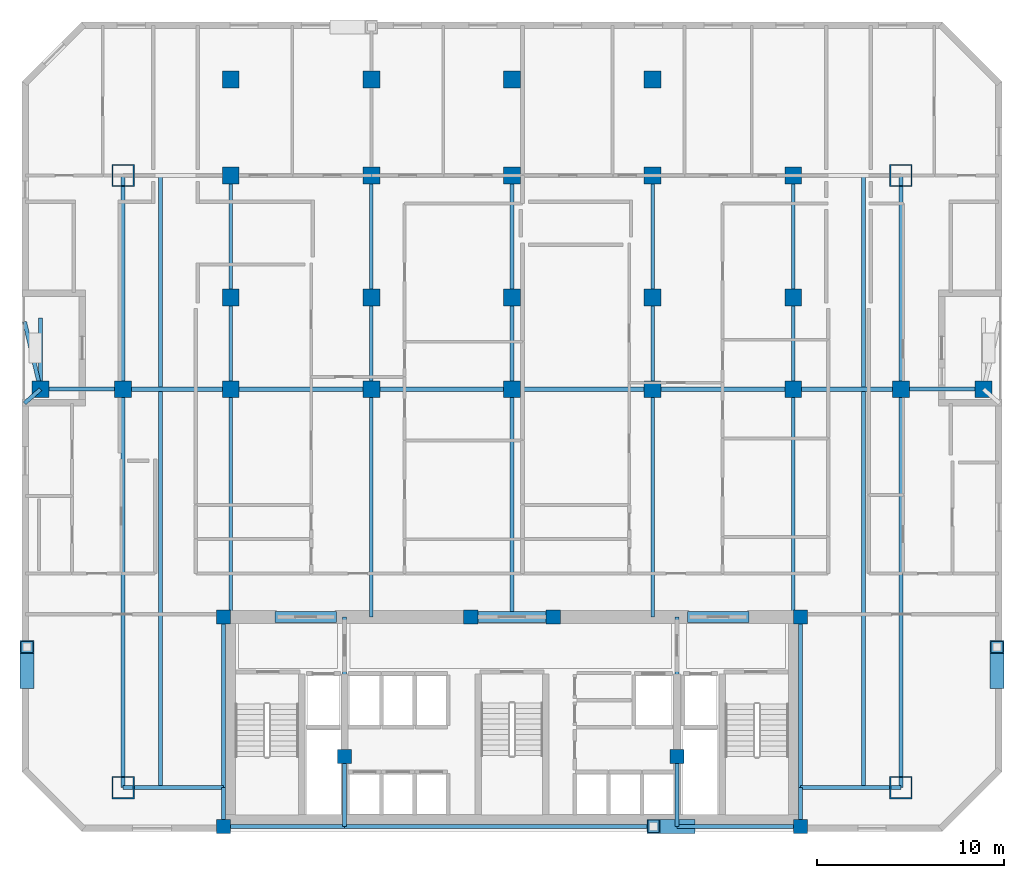
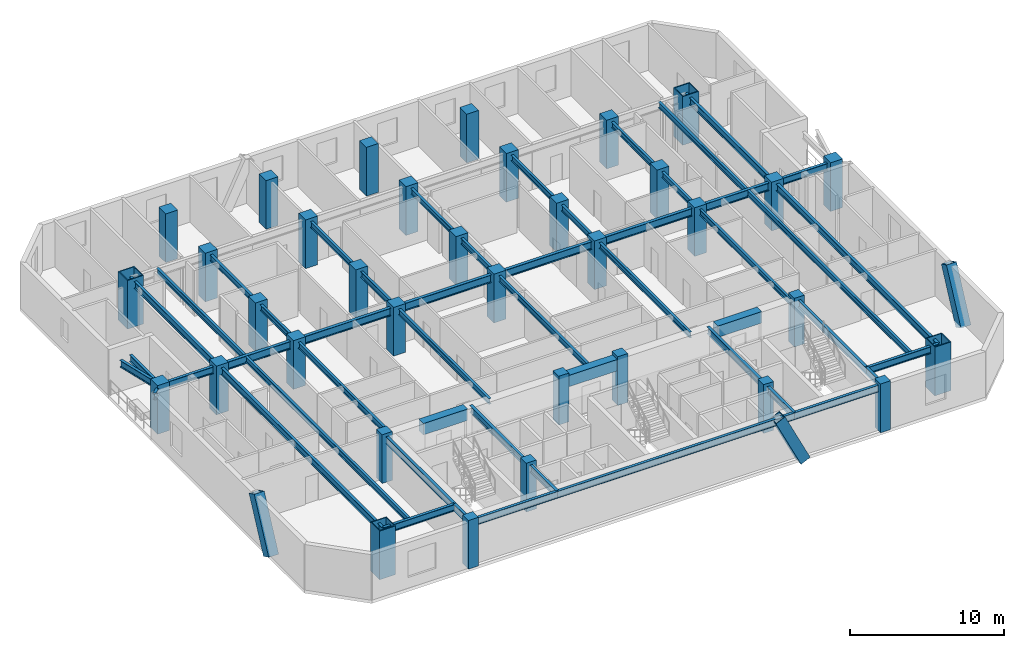
# One storey, part 1 of 10: 45 beams, 35 columns, 3 members.
"""IFC4 building model written with IfcOpenShell, lengths in metres."""

from ifc_helpers import new_model, si_unit, direction, frame, origin, origin_2d, place, context, subcontext, project, spatial, rectangle, hollow_rectangle, i_section, extrude, material, material_profile, profile_set, type_object, element, save


model = new_model("IFC4")

# Units and contexts
model_context = context("Model", 3, precision=1e-05, world=origin(), true_north=direction((0.0, 1.0)))
body_context = subcontext(model_context, "Body", "Model", "MODEL_VIEW")
ifc_project = project(units=[si_unit("LENGTHUNIT", "METRE"), si_unit("AREAUNIT", "SQUARE_METRE"), si_unit("VOLUMEUNIT", "CUBIC_METRE"), si_unit("PLANEANGLEUNIT", "RADIAN"), si_unit("MASSUNIT", "GRAM", prefix="KILO")], contexts=[model_context])

# Site, building, storey
site_placement = place(None, origin())
site = spatial("IfcSite", under=ifc_project, at=site_placement, CompositionType="ELEMENT")
building_placement = place(site_placement, origin())
building = spatial("IfcBuilding", under=site, at=building_placement, Name="Ventersveld Concourse Tower", CompositionType="ELEMENT")
storey_placement = place(building_placement, frame((0.0, 0.0, 104.14990234375)))
storey = spatial("IfcBuildingStorey", under=building, at=storey_placement, Name="L25", CompositionType="ELEMENT", Elevation=104.14990234375)

# Columns
ifc_material_1 = material(Name="Concrete C50/60", Category="concrete")
ifc_material_profile_1 = material_profile(ifc_material_1, rectangle(XDim=0.75, YDim=0.75, at=origin_2d()), Name="RC 750x750")
ifc_profile_set_1 = profile_set([ifc_material_profile_1], Name="Concrete C50/60")
column_type_1 = type_object("IfcColumnType", Name="COL-RC750", PredefinedType="COLUMN", material=ifc_profile_set_1)
for number, where, z_axis, x_axis, name in (
    (1, (13.35009765625, 0.280029296875, 0.0), (0.0, 0.0, 1.0), (1.0, 0.0, 0.0), "L25 Core Spine Column CC-SW"),
    (2, (44.14990234375, 0.280029296875, 0.0), (0.0, 0.0, 1.0), (1.0, 0.0, 0.0), "L25 Core Spine Column CC-SE"),
    (3, (13.35009765625, 11.449951171875, 0.0), (0.0, 0.0, 1.0), (1.0, 0.0, 0.0), "L25 Core Spine Column CC-NW"),
    (4, (44.14990234375, 11.449951171875, 0.0), (0.0, 0.0, 1.0), (1.0, 0.0, 0.0), "L25 Core Spine Column CC-NE"),
    (5, (19.820068359375, 4.0, 0.0), (0.0, 0.0, 1.0), (1.0, 0.0, 0.0), "L25 Core Spine Column CM-1"),
    (6, (37.550048828125, 4.0, 0.0), (0.0, 0.0, 1.0), (1.0, 0.0, 0.0), "L25 Core Spine Column CM-2"),
    (7, (26.550048828125, 11.449951171875, 0.0), (0.0, 0.0, 1.0), (1.0, 0.0, 0.0), "L25 Core Spine Column CM-3"),
    (8, (30.949951171875, 11.449951171875, 0.0), (0.0, 0.0, 1.0), (1.0, 0.0, 0.0), "L25 Core Spine Column CM-4"),
):
    element("IfcColumn", number, at=place(storey_placement, frame(where, z_axis=z_axis, x_axis=x_axis)), inside=storey, type_object=column_type_1, Name=name, PredefinedType="COLUMN", context=body_context, shape_type="SweptSolid", body=[
        extrude(rectangle(XDim=0.75, YDim=0.75, at=origin_2d()), origin(), (0.0, 0.0, 1.0), 3.85009765625),
    ])
ifc_material_2 = material(Name="Concrete C60/75", Category="concrete")
ifc_material_profile_2 = material_profile(ifc_material_2, rectangle(XDim=0.89990234375, YDim=0.89990234375, at=origin_2d()), Name="RC 900x900")
ifc_profile_set_2 = profile_set([ifc_material_profile_2], Name="Concrete C60/75")
column_type_2 = type_object("IfcColumnType", Name="COL-RC900", PredefinedType="COLUMN", material=ifc_profile_set_2)
for number, where, z_axis, x_axis, name in (
    (9, (3.60009765625, 23.60009765625, 0.0), (0.0, 0.0, 1.0), (1.0, 0.0, 0.0), "L25 Interior Gravity Column X=3.60 Y=23.60"),
    (10, (8.0, 23.60009765625, 0.0), (0.0, 0.0, 1.0), (1.0, 0.0, 0.0), "L25 Interior Gravity Column X=8.00 Y=23.60"),
    (11, (13.75, 23.60009765625, 0.0), (0.0, 0.0, 1.0), (1.0, 0.0, 0.0), "L25 Interior Gravity Column X=13.75 Y=23.60"),
    (12, (21.25, 23.60009765625, 0.0), (0.0, 0.0, 1.0), (1.0, 0.0, 0.0), "L25 Interior Gravity Column X=21.25 Y=23.60"),
    (13, (28.75, 23.60009765625, 0.0), (0.0, 0.0, 1.0), (1.0, 0.0, 0.0), "L25 Interior Gravity Column X=28.75 Y=23.60"),
    (14, (36.25, 23.60009765625, 0.0), (0.0, 0.0, 1.0), (1.0, 0.0, 0.0), "L25 Interior Gravity Column X=36.25 Y=23.60"),
    (15, (43.75, 23.60009765625, 0.0), (0.0, 0.0, 1.0), (1.0, 0.0, 0.0), "L25 Interior Gravity Column X=43.75 Y=23.60"),
    (16, (49.5, 23.60009765625, 0.0), (0.0, 0.0, 1.0), (1.0, 0.0, 0.0), "L25 Interior Gravity Column X=49.50 Y=23.60"),
    (17, (53.89990234375, 23.60009765625, 0.0), (0.0, 0.0, 1.0), (1.0, 0.0, 0.0), "L25 Interior Gravity Column X=53.90 Y=23.60"),
    (18, (13.75, 28.5, 0.0), (0.0, 0.0, 1.0), (1.0, 0.0, 0.0), "L25 Upper-North Gravity Column X=13.75 Y=28.50"),
    (19, (21.25, 28.5, 0.0), (0.0, 0.0, 1.0), (1.0, 0.0, 0.0), "L25 Upper-North Gravity Column X=21.25 Y=28.50"),
    (20, (28.75, 28.5, 0.0), (0.0, 0.0, 1.0), (1.0, 0.0, 0.0), "L25 Upper-North Gravity Column X=28.75 Y=28.50"),
    (21, (36.25, 28.5, 0.0), (0.0, 0.0, 1.0), (1.0, 0.0, 0.0), "L25 Upper-North Gravity Column X=36.25 Y=28.50"),
    (22, (43.75, 28.5, 0.0), (0.0, 0.0, 1.0), (1.0, 0.0, 0.0), "L25 Upper-North Gravity Column X=43.75 Y=28.50"),
    (23, (13.75, 40.1201171875, 0.0), (0.0, 0.0, 1.0), (1.0, 0.0, 0.0), "L25 North Brace Node Column X=13.75 Y=40.12"),
    (24, (21.25, 40.1201171875, 0.0), (0.0, 0.0, 1.0), (1.0, 0.0, 0.0), "L25 North Brace Node Column X=21.25 Y=40.12"),
    (25, (28.75, 40.1201171875, 0.0), (0.0, 0.0, 1.0), (1.0, 0.0, 0.0), "L25 North Brace Node Column X=28.75 Y=40.12"),
    (26, (36.25, 40.1201171875, 0.0), (0.0, 0.0, 1.0), (1.0, 0.0, 0.0), "L25 North Brace Node Column X=36.25 Y=40.12"),
    (27, (13.75, 35.0, 0.0), (0.0, 0.0, 1.0), (1.0, 0.0, 0.0), "L25 Mid-North Column X=13.75 Y=35.00"),
    (28, (21.25, 35.0, 0.0), (0.0, 0.0, 1.0), (1.0, 0.0, 0.0), "L25 Mid-North Column X=21.25 Y=35.00"),
    (29, (28.75, 35.0, 0.0), (0.0, 0.0, 1.0), (1.0, 0.0, 0.0), "L25 Mid-North Column X=28.75 Y=35.00"),
    (30, (36.25, 35.0, 0.0), (0.0, 0.0, 1.0), (1.0, 0.0, 0.0), "L25 Mid-North Column X=36.25 Y=35.00"),
    (31, (43.75, 35.0, 0.0), (0.0, 0.0, 1.0), (1.0, 0.0, 0.0), "L25 Mid-North Column X=43.75 Y=35.00"),
):
    element("IfcColumn", number, at=place(storey_placement, frame(where, z_axis=z_axis, x_axis=x_axis)), inside=storey, type_object=column_type_2, Name=name, PredefinedType="COLUMN", context=body_context, shape_type="SweptSolid", body=[
        extrude(rectangle(XDim=0.89990234375, YDim=0.89990234375, at=origin_2d()), origin(), (0.0, 0.0, 1.0), 3.85009765625),
    ])
ifc_material_3 = material(Name="Structural steel S460ML", Category="steel")
ifc_material_profile_3 = material_profile(ifc_material_3, hollow_rectangle(XDim=1.199951171875, YDim=1.199951171875, WallThickness=0.070068359375, at=origin_2d()), Name="BOX 1200x1200x70")
ifc_profile_set_3 = profile_set([ifc_material_profile_3], Name="Structural steel S460ML")
column_type_3 = type_object("IfcColumnType", Name="MC-1200", PredefinedType="USERDEFINED", material=ifc_profile_set_3)
for number, where, z_axis, x_axis, name in (
    (32, (8.0, 2.35009765625, 0.0), (0.0, 0.0, 1.0), (1.0, 0.0, 0.0), "L25 Corner Mega-Column MC-SW"),
    (33, (49.5, 2.35009765625, 0.0), (0.0, 0.0, 1.0), (1.0, 0.0, 0.0), "L25 Corner Mega-Column MC-SE"),
    (34, (49.5, 35.0, 0.0), (0.0, 0.0, 1.0), (1.0, 0.0, 0.0), "L25 Corner Mega-Column MC-NE"),
    (35, (8.0, 35.0, 0.0), (0.0, 0.0, 1.0), (1.0, 0.0, 0.0), "L25 Corner Mega-Column MC-NW"),
):
    element("IfcColumn", number, at=place(storey_placement, frame(where, z_axis=z_axis, x_axis=x_axis)), inside=storey, type_object=column_type_3, Name=name, ObjectType="MEGA_COLUMN", PredefinedType="USERDEFINED", context=body_context, shape_type="SweptSolid", body=[
        extrude(hollow_rectangle(XDim=1.199951171875, YDim=1.199951171875, WallThickness=0.070068359375, at=origin_2d()), origin(), (0.0, 0.0, 1.0), 3.85009765625),
    ])

# Beams
ifc_material_4 = material(Name="Structural steel S355J2", Category="steel")
ifc_material_profile_4 = material_profile(ifc_material_4, i_section(OverallWidth=0.18994140625, OverallDepth=0.453369140625, WebThickness=0.008544921875, FlangeThickness=0.0126953125, FilletRadius=0.01025390625, at=origin_2d()), Name="UB 457x191x67")
ifc_profile_set_4 = profile_set([ifc_material_profile_4], Name="Structural steel S355J2")
beam_type_1 = type_object("IfcBeamType", Name="BM-UB457", PredefinedType="BEAM", material=ifc_profile_set_4)
beam_1_placement = place(storey_placement, frame((10.0, 2.35009765625, 3.373291015625), z_axis=(0.0, 1.0, 0.0), x_axis=(-1.0, 0.0, 0.0)))
element("IfcBeam", 36, at=beam_1_placement, inside=storey, type_object=beam_type_1, Name="L25 N-S Composite Floor Beam South X=10.00", PredefinedType="BEAM", context=body_context, shape_type="SweptSolid", body=[
    extrude(i_section(OverallWidth=0.18994140625, OverallDepth=0.453369140625, WebThickness=0.008544921875, FlangeThickness=0.0126953125, FilletRadius=0.01025390625, at=origin_2d()), origin(), (0.0, 0.0, 1.0), 21.15478515625),
])
beam_2_placement = place(storey_placement, frame((10.0, 23.695068359375, 3.373291015625), z_axis=(0.0, 1.0, 0.0), x_axis=(-1.0, 0.0, 0.0)))
element("IfcBeam", 37, at=beam_2_placement, inside=storey, type_object=beam_type_1, Name="L25 N-S Composite Floor Beam Mid X=10.00", PredefinedType="BEAM", context=body_context, shape_type="SweptSolid", body=[
    extrude(i_section(OverallWidth=0.18994140625, OverallDepth=0.453369140625, WebThickness=0.008544921875, FlangeThickness=0.0126953125, FilletRadius=0.01025390625, at=origin_2d()), origin(), (0.0, 0.0, 1.0), 11.304931640625),
])
beam_3_placement = place(storey_placement, frame((13.75, 11.449951171875, 3.373291015625), z_axis=(0.0, 1.0, 0.0), x_axis=(-1.0, 0.0, 0.0)))
element("IfcBeam", 38, at=beam_3_placement, inside=storey, type_object=beam_type_1, Name="L25 N-S Composite Floor Beam South X=13.75", PredefinedType="BEAM", context=body_context, shape_type="SweptSolid", body=[
    extrude(i_section(OverallWidth=0.18994140625, OverallDepth=0.453369140625, WebThickness=0.008544921875, FlangeThickness=0.0126953125, FilletRadius=0.01025390625, at=origin_2d()), origin(), (0.0, 0.0, 1.0), 12.150146484375),
])
beam_4_placement = place(storey_placement, frame((13.75, 23.60009765625, 3.373291015625), z_axis=(0.0, 1.0, 0.0), x_axis=(-1.0, 0.0, 0.0)))
element("IfcBeam", 39, at=beam_4_placement, inside=storey, type_object=beam_type_1, Name="L25 N-S Composite Floor Beam Mid X=13.75", PredefinedType="BEAM", context=body_context, shape_type="SweptSolid", body=[
    extrude(i_section(OverallWidth=0.18994140625, OverallDepth=0.453369140625, WebThickness=0.008544921875, FlangeThickness=0.0126953125, FilletRadius=0.01025390625, at=origin_2d()), origin(), (0.0, 0.0, 1.0), 11.39990234375),
])
beam_5_placement = place(storey_placement, frame((21.25, 11.449951171875, 3.373291015625), z_axis=(0.0, 1.0, 0.0), x_axis=(-1.0, 0.0, 0.0)))
element("IfcBeam", 40, at=beam_5_placement, inside=storey, type_object=beam_type_1, Name="L25 N-S Composite Floor Beam South X=21.25", PredefinedType="BEAM", context=body_context, shape_type="SweptSolid", body=[
    extrude(i_section(OverallWidth=0.18994140625, OverallDepth=0.453369140625, WebThickness=0.008544921875, FlangeThickness=0.0126953125, FilletRadius=0.01025390625, at=origin_2d()), origin(), (0.0, 0.0, 1.0), 12.150146484375),
])
beam_6_placement = place(storey_placement, frame((21.25, 23.60009765625, 3.373291015625), z_axis=(0.0, 1.0, 0.0), x_axis=(-1.0, 0.0, 0.0)))
element("IfcBeam", 41, at=beam_6_placement, inside=storey, type_object=beam_type_1, Name="L25 N-S Composite Floor Beam Mid X=21.25", PredefinedType="BEAM", context=body_context, shape_type="SweptSolid", body=[
    extrude(i_section(OverallWidth=0.18994140625, OverallDepth=0.453369140625, WebThickness=0.008544921875, FlangeThickness=0.0126953125, FilletRadius=0.01025390625, at=origin_2d()), origin(), (0.0, 0.0, 1.0), 11.39990234375),
])
beam_7_placement = place(storey_placement, frame((28.75, 11.449951171875, 3.373291015625), z_axis=(0.0, 1.0, 0.0), x_axis=(-1.0, 0.0, 0.0)))
element("IfcBeam", 42, at=beam_7_placement, inside=storey, type_object=beam_type_1, Name="L25 N-S Composite Floor Beam South X=28.75", PredefinedType="BEAM", context=body_context, shape_type="SweptSolid", body=[
    extrude(i_section(OverallWidth=0.18994140625, OverallDepth=0.453369140625, WebThickness=0.008544921875, FlangeThickness=0.0126953125, FilletRadius=0.01025390625, at=origin_2d()), origin(), (0.0, 0.0, 1.0), 12.150146484375),
])
beam_8_placement = place(storey_placement, frame((28.75, 23.60009765625, 3.373291015625), z_axis=(0.0, 1.0, 0.0), x_axis=(-1.0, 0.0, 0.0)))
element("IfcBeam", 43, at=beam_8_placement, inside=storey, type_object=beam_type_1, Name="L25 N-S Composite Floor Beam Mid X=28.75", PredefinedType="BEAM", context=body_context, shape_type="SweptSolid", body=[
    extrude(i_section(OverallWidth=0.18994140625, OverallDepth=0.453369140625, WebThickness=0.008544921875, FlangeThickness=0.0126953125, FilletRadius=0.01025390625, at=origin_2d()), origin(), (0.0, 0.0, 1.0), 11.39990234375),
])
beam_9_placement = place(storey_placement, frame((36.25, 11.449951171875, 3.373291015625), z_axis=(0.0, 1.0, 0.0), x_axis=(-1.0, 0.0, 0.0)))
element("IfcBeam", 44, at=beam_9_placement, inside=storey, type_object=beam_type_1, Name="L25 N-S Composite Floor Beam South X=36.25", PredefinedType="BEAM", context=body_context, shape_type="SweptSolid", body=[
    extrude(i_section(OverallWidth=0.18994140625, OverallDepth=0.453369140625, WebThickness=0.008544921875, FlangeThickness=0.0126953125, FilletRadius=0.01025390625, at=origin_2d()), origin(), (0.0, 0.0, 1.0), 12.150146484375),
])
beam_10_placement = place(storey_placement, frame((36.25, 23.60009765625, 3.373291015625), z_axis=(0.0, 1.0, 0.0), x_axis=(-1.0, 0.0, 0.0)))
element("IfcBeam", 45, at=beam_10_placement, inside=storey, type_object=beam_type_1, Name="L25 N-S Composite Floor Beam Mid X=36.25", PredefinedType="BEAM", context=body_context, shape_type="SweptSolid", body=[
    extrude(i_section(OverallWidth=0.18994140625, OverallDepth=0.453369140625, WebThickness=0.008544921875, FlangeThickness=0.0126953125, FilletRadius=0.01025390625, at=origin_2d()), origin(), (0.0, 0.0, 1.0), 11.39990234375),
])
beam_11_placement = place(storey_placement, frame((43.75, 11.449951171875, 3.373291015625), z_axis=(0.0, 1.0, 0.0), x_axis=(-1.0, 0.0, 0.0)))
element("IfcBeam", 46, at=beam_11_placement, inside=storey, type_object=beam_type_1, Name="L25 N-S Composite Floor Beam South X=43.75", PredefinedType="BEAM", context=body_context, shape_type="SweptSolid", body=[
    extrude(i_section(OverallWidth=0.18994140625, OverallDepth=0.453369140625, WebThickness=0.008544921875, FlangeThickness=0.0126953125, FilletRadius=0.01025390625, at=origin_2d()), origin(), (0.0, 0.0, 1.0), 12.150146484375),
])
beam_12_placement = place(storey_placement, frame((43.75, 23.60009765625, 3.373291015625), z_axis=(0.0, 1.0, 0.0), x_axis=(-1.0, 0.0, 0.0)))
element("IfcBeam", 47, at=beam_12_placement, inside=storey, type_object=beam_type_1, Name="L25 N-S Composite Floor Beam Mid X=43.75", PredefinedType="BEAM", context=body_context, shape_type="SweptSolid", body=[
    extrude(i_section(OverallWidth=0.18994140625, OverallDepth=0.453369140625, WebThickness=0.008544921875, FlangeThickness=0.0126953125, FilletRadius=0.01025390625, at=origin_2d()), origin(), (0.0, 0.0, 1.0), 11.39990234375),
])
beam_13_placement = place(storey_placement, frame((47.5, 2.35009765625, 3.373291015625), z_axis=(0.0, 1.0, 0.0), x_axis=(-1.0, 0.0, 0.0)))
element("IfcBeam", 48, at=beam_13_placement, inside=storey, type_object=beam_type_1, Name="L25 N-S Composite Floor Beam South X=47.50", PredefinedType="BEAM", context=body_context, shape_type="SweptSolid", body=[
    extrude(i_section(OverallWidth=0.18994140625, OverallDepth=0.453369140625, WebThickness=0.008544921875, FlangeThickness=0.0126953125, FilletRadius=0.01025390625, at=origin_2d()), origin(), (0.0, 0.0, 1.0), 21.15478515625),
])
beam_14_placement = place(storey_placement, frame((47.5, 23.695068359375, 3.373291015625), z_axis=(0.0, 1.0, 0.0), x_axis=(-1.0, 0.0, 0.0)))
element("IfcBeam", 49, at=beam_14_placement, inside=storey, type_object=beam_type_1, Name="L25 N-S Composite Floor Beam Mid X=47.50", PredefinedType="BEAM", context=body_context, shape_type="SweptSolid", body=[
    extrude(i_section(OverallWidth=0.18994140625, OverallDepth=0.453369140625, WebThickness=0.008544921875, FlangeThickness=0.0126953125, FilletRadius=0.01025390625, at=origin_2d()), origin(), (0.0, 0.0, 1.0), 11.304931640625),
])
ifc_material_profile_5 = material_profile(ifc_material_2, rectangle(XDim=0.60009765625, YDim=0.89990234375, at=origin_2d()), Name="RC 600x900")
ifc_profile_set_5 = profile_set([ifc_material_profile_5], Name="Concrete C60/75")
beam_type_2 = type_object("IfcBeamType", Name="CB-RC600x900L", PredefinedType="LINTEL", material=ifc_profile_set_5)
beam_15_placement = place(storey_placement, frame((16.10009765625, 11.449951171875, 3.150146484375), z_axis=(1.0, 0.0, 0.0), x_axis=(0.0, 1.0, 0.0)))
element("IfcBeam", 50, at=beam_15_placement, inside=storey, type_object=beam_type_2, Name="L25 Core Coupling Lintel Beam 1", PredefinedType="LINTEL", context=body_context, shape_type="SweptSolid", body=[
    extrude(rectangle(XDim=0.60009765625, YDim=0.89990234375, at=origin_2d()), origin(), (0.0, 0.0, 1.0), 3.2998046875),
])
beam_16_placement = place(storey_placement, frame((26.5, 11.449951171875, 3.150146484375), z_axis=(1.0, 0.0, 0.0), x_axis=(0.0, 1.0, 0.0)))
element("IfcBeam", 51, at=beam_16_placement, inside=storey, type_object=beam_type_2, Name="L25 Core Coupling Lintel Beam 2", PredefinedType="LINTEL", context=body_context, shape_type="SweptSolid", body=[
    extrude(rectangle(XDim=0.60009765625, YDim=0.89990234375, at=origin_2d()), origin(), (0.0, 0.0, 1.0), 4.5),
])
beam_17_placement = place(storey_placement, frame((38.10009765625, 11.449951171875, 3.150146484375), z_axis=(1.0, 0.0, 0.0), x_axis=(0.0, 1.0, 0.0)))
element("IfcBeam", 52, at=beam_17_placement, inside=storey, type_object=beam_type_2, Name="L25 Core Coupling Lintel Beam 3", PredefinedType="LINTEL", context=body_context, shape_type="SweptSolid", body=[
    extrude(rectangle(XDim=0.60009765625, YDim=0.89990234375, at=origin_2d()), origin(), (0.0, 0.0, 1.0), 3.2998046875),
])
ifc_material_profile_6 = material_profile(ifc_material_4, i_section(OverallWidth=0.2119140625, OverallDepth=0.54443359375, WebThickness=0.0126953125, FlangeThickness=0.021240234375, FilletRadius=0.0126953125, at=origin_2d()), Name="UB 533x210x122")
ifc_profile_set_6 = profile_set([ifc_material_profile_6], Name="Structural steel S355J2")
beam_type_3 = type_object("IfcBeamType", Name="GRD-UB533H", PredefinedType="T_BEAM", material=ifc_profile_set_6)
beam_18_placement = place(storey_placement, frame((13.35009765625, 0.280029296875, 3.327880859375), z_axis=(0.0, 1.0, 0.0), x_axis=(-1.0, 0.0, 0.0)))
element("IfcBeam", 53, at=beam_18_placement, inside=storey, type_object=beam_type_3, Name="L25 Core West Tie Beam S", PredefinedType="T_BEAM", context=body_context, shape_type="SweptSolid", body=[
    extrude(i_section(OverallWidth=0.2119140625, OverallDepth=0.54443359375, WebThickness=0.0126953125, FlangeThickness=0.021240234375, FilletRadius=0.0126953125, at=origin_2d()), origin(), (0.0, 0.0, 1.0), 2.070068359375),
])
beam_19_placement = place(storey_placement, frame((13.35009765625, 2.35009765625, 3.327880859375), z_axis=(0.0, 1.0, 0.0), x_axis=(-1.0, 0.0, 0.0)))
element("IfcBeam", 54, at=beam_19_placement, inside=storey, type_object=beam_type_3, Name="L25 Core West Tie Beam N", PredefinedType="T_BEAM", context=body_context, shape_type="SweptSolid", body=[
    extrude(i_section(OverallWidth=0.2119140625, OverallDepth=0.54443359375, WebThickness=0.0126953125, FlangeThickness=0.021240234375, FilletRadius=0.0126953125, at=origin_2d()), origin(), (0.0, 0.0, 1.0), 9.099853515625),
])
beam_20_placement = place(storey_placement, frame((44.14990234375, 0.280029296875, 3.327880859375), z_axis=(0.0, 1.0, 0.0), x_axis=(-1.0, 0.0, 0.0)))
element("IfcBeam", 55, at=beam_20_placement, inside=storey, type_object=beam_type_3, Name="L25 Core East Tie Beam S", PredefinedType="T_BEAM", context=body_context, shape_type="SweptSolid", body=[
    extrude(i_section(OverallWidth=0.2119140625, OverallDepth=0.54443359375, WebThickness=0.0126953125, FlangeThickness=0.021240234375, FilletRadius=0.0126953125, at=origin_2d()), origin(), (0.0, 0.0, 1.0), 2.070068359375),
])
beam_21_placement = place(storey_placement, frame((44.14990234375, 2.35009765625, 3.327880859375), z_axis=(0.0, 1.0, 0.0), x_axis=(-1.0, 0.0, 0.0)))
element("IfcBeam", 56, at=beam_21_placement, inside=storey, type_object=beam_type_3, Name="L25 Core East Tie Beam N", PredefinedType="T_BEAM", context=body_context, shape_type="SweptSolid", body=[
    extrude(i_section(OverallWidth=0.2119140625, OverallDepth=0.54443359375, WebThickness=0.0126953125, FlangeThickness=0.021240234375, FilletRadius=0.0126953125, at=origin_2d()), origin(), (0.0, 0.0, 1.0), 9.099853515625),
])
beam_22_placement = place(storey_placement, frame((13.35009765625, 0.280029296875, 3.327880859375), z_axis=(1.0, 0.0, 0.0), x_axis=(0.0, 1.0, 0.0)))
element("IfcBeam", 57, at=beam_22_placement, inside=storey, type_object=beam_type_3, Name="L25 Core South Tie Beam W", PredefinedType="T_BEAM", context=body_context, shape_type="SweptSolid", body=[
    extrude(i_section(OverallWidth=0.2119140625, OverallDepth=0.54443359375, WebThickness=0.0126953125, FlangeThickness=0.021240234375, FilletRadius=0.0126953125, at=origin_2d()), origin(), (0.0, 0.0, 1.0), 6.469970703125),
])
beam_23_placement = place(storey_placement, frame((19.820068359375, 0.280029296875, 3.327880859375), z_axis=(1.0, 0.0, 0.0), x_axis=(0.0, 1.0, 0.0)))
element("IfcBeam", 58, at=beam_23_placement, inside=storey, type_object=beam_type_3, Name="L25 Core South Tie Beam C", PredefinedType="T_BEAM", context=body_context, shape_type="SweptSolid", body=[
    extrude(i_section(OverallWidth=0.2119140625, OverallDepth=0.54443359375, WebThickness=0.0126953125, FlangeThickness=0.021240234375, FilletRadius=0.0126953125, at=origin_2d()), origin(), (0.0, 0.0, 1.0), 17.72998046875),
])
beam_24_placement = place(storey_placement, frame((37.550048828125, 0.280029296875, 3.327880859375), z_axis=(1.0, 0.0, 0.0), x_axis=(0.0, 1.0, 0.0)))
element("IfcBeam", 59, at=beam_24_placement, inside=storey, type_object=beam_type_3, Name="L25 Core South Tie Beam E", PredefinedType="T_BEAM", context=body_context, shape_type="SweptSolid", body=[
    extrude(i_section(OverallWidth=0.2119140625, OverallDepth=0.54443359375, WebThickness=0.0126953125, FlangeThickness=0.021240234375, FilletRadius=0.0126953125, at=origin_2d()), origin(), (0.0, 0.0, 1.0), 6.599853515625),
])
beam_25_placement = place(storey_placement, frame((19.820068359375, 0.280029296875, 3.327880859375), z_axis=(0.0, 1.0, 0.0), x_axis=(-1.0, 0.0, 0.0)))
element("IfcBeam", 60, at=beam_25_placement, inside=storey, type_object=beam_type_3, Name="L25 Core Spine N-S Tie Beam W1", PredefinedType="T_BEAM", context=body_context, shape_type="SweptSolid", body=[
    extrude(i_section(OverallWidth=0.2119140625, OverallDepth=0.54443359375, WebThickness=0.0126953125, FlangeThickness=0.021240234375, FilletRadius=0.0126953125, at=origin_2d()), origin(), (0.0, 0.0, 1.0), 3.719970703125),
])
beam_26_placement = place(storey_placement, frame((19.820068359375, 4.0, 3.327880859375), z_axis=(0.0, 1.0, 0.0), x_axis=(-1.0, 0.0, 0.0)))
element("IfcBeam", 61, at=beam_26_placement, inside=storey, type_object=beam_type_3, Name="L25 Core Spine N-S Tie Beam W2", PredefinedType="T_BEAM", context=body_context, shape_type="SweptSolid", body=[
    extrude(i_section(OverallWidth=0.2119140625, OverallDepth=0.54443359375, WebThickness=0.0126953125, FlangeThickness=0.021240234375, FilletRadius=0.0126953125, at=origin_2d()), origin(), (0.0, 0.0, 1.0), 7.449951171875),
])
beam_27_placement = place(storey_placement, frame((37.550048828125, 0.280029296875, 3.327880859375), z_axis=(0.0, 1.0, 0.0), x_axis=(-1.0, 0.0, 0.0)))
element("IfcBeam", 62, at=beam_27_placement, inside=storey, type_object=beam_type_3, Name="L25 Core Spine N-S Tie Beam E1", PredefinedType="T_BEAM", context=body_context, shape_type="SweptSolid", body=[
    extrude(i_section(OverallWidth=0.2119140625, OverallDepth=0.54443359375, WebThickness=0.0126953125, FlangeThickness=0.021240234375, FilletRadius=0.0126953125, at=origin_2d()), origin(), (0.0, 0.0, 1.0), 3.719970703125),
])
beam_28_placement = place(storey_placement, frame((37.550048828125, 4.0, 3.327880859375), z_axis=(0.0, 1.0, 0.0), x_axis=(-1.0, 0.0, 0.0)))
element("IfcBeam", 63, at=beam_28_placement, inside=storey, type_object=beam_type_3, Name="L25 Core Spine N-S Tie Beam E2", PredefinedType="T_BEAM", context=body_context, shape_type="SweptSolid", body=[
    extrude(i_section(OverallWidth=0.2119140625, OverallDepth=0.54443359375, WebThickness=0.0126953125, FlangeThickness=0.021240234375, FilletRadius=0.0126953125, at=origin_2d()), origin(), (0.0, 0.0, 1.0), 7.449951171875),
])
ifc_material_profile_7 = material_profile(ifc_material_4, i_section(OverallWidth=0.230224609375, OverallDepth=0.6171875, WebThickness=0.01318359375, FlangeThickness=0.022216796875, FilletRadius=0.0126953125, at=origin_2d()), Name="UB 610x229x140")
ifc_profile_set_7 = profile_set([ifc_material_profile_7], Name="Structural steel S355J2")
beam_type_4 = type_object("IfcBeamType", Name="GRD-UB610", PredefinedType="USERDEFINED", material=ifc_profile_set_7)
beam_29_placement = place(storey_placement, frame((8.0, 23.60009765625, 3.29150390625), z_axis=(1.0, 0.0, 0.0), x_axis=(0.0, 1.0, 0.0)))
element("IfcBeam", 64, at=beam_29_placement, inside=storey, type_object=beam_type_4, Name="L25 Primary E-W Grid Girder Y=23.60 #1", ObjectType="GIRDER", PredefinedType="USERDEFINED", context=body_context, shape_type="SweptSolid", body=[
    extrude(i_section(OverallWidth=0.230224609375, OverallDepth=0.6171875, WebThickness=0.01318359375, FlangeThickness=0.022216796875, FilletRadius=0.0126953125, at=origin_2d()), origin(), (0.0, 0.0, 1.0), 5.75),
])
for number, where, z_axis, x_axis, name in (
    (65, (13.75, 23.60009765625, 3.29150390625), (1.0, 0.0, 0.0), (0.0, 1.0, 0.0), "L25 Primary E-W Grid Girder Y=23.60 #2"),
    (66, (21.25, 23.60009765625, 3.29150390625), (1.0, 0.0, 0.0), (0.0, 1.0, 0.0), "L25 Primary E-W Grid Girder Y=23.60 #3"),
    (67, (28.75, 23.60009765625, 3.29150390625), (1.0, 0.0, 0.0), (0.0, 1.0, 0.0), "L25 Primary E-W Grid Girder Y=23.60 #4"),
    (68, (36.25, 23.60009765625, 3.29150390625), (1.0, 0.0, 0.0), (0.0, 1.0, 0.0), "L25 Primary E-W Grid Girder Y=23.60 #5"),
):
    element("IfcBeam", number, at=place(storey_placement, frame(where, z_axis=z_axis, x_axis=x_axis)), inside=storey, type_object=beam_type_4, Name=name, ObjectType="GIRDER", PredefinedType="USERDEFINED", context=body_context, shape_type="SweptSolid", body=[
        extrude(i_section(OverallWidth=0.230224609375, OverallDepth=0.6171875, WebThickness=0.01318359375, FlangeThickness=0.022216796875, FilletRadius=0.0126953125, at=origin_2d()), origin(), (0.0, 0.0, 1.0), 7.5),
    ])
beam_30_placement = place(storey_placement, frame((43.75, 23.60009765625, 3.29150390625), z_axis=(1.0, 0.0, 0.0), x_axis=(0.0, 1.0, 0.0)))
element("IfcBeam", 69, at=beam_30_placement, inside=storey, type_object=beam_type_4, Name="L25 Primary E-W Grid Girder Y=23.60 #6", ObjectType="GIRDER", PredefinedType="USERDEFINED", context=body_context, shape_type="SweptSolid", body=[
    extrude(i_section(OverallWidth=0.230224609375, OverallDepth=0.6171875, WebThickness=0.01318359375, FlangeThickness=0.022216796875, FilletRadius=0.0126953125, at=origin_2d()), origin(), (0.0, 0.0, 1.0), 5.75),
])

# Members
ifc_material_5 = material(Name="Structural steel S355ML", Category="steel")
ifc_material_profile_8 = material_profile(ifc_material_5, hollow_rectangle(XDim=0.75, YDim=0.75, WallThickness=0.044921875, at=origin_2d()), Name="BOX 750x750x45")
ifc_profile_set_8 = profile_set([ifc_material_profile_8], Name="Structural steel S355ML")
member_type = type_object("IfcMemberType", Name="MB-750x750", PredefinedType="BRACE", material=ifc_profile_set_8)
for number, where, z_axis, x_axis, name in (
    (70, (38.175048828125, 0.280029296875, -0.25), (-0.437839464193, 0.0, 0.899053170616), (0.0, -1.0, 0.0), "L25 Exterior Mega-Brace S (Module M05)"),
    (71, (2.8798828125, 7.97509765625, -0.25), (0.0, 0.437839464193, 0.899053170616), (-1.0, 0.0, 0.0), "L25 Exterior Mega-Brace W (Module M05)"),
    (72, (54.6201171875, 7.97509765625, -0.25), (0.0, 0.437839464193, 0.899053170616), (-1.0, 0.0, 0.0), "L25 Exterior Mega-Brace E (Module M05)"),
):
    element("IfcMember", number, at=place(storey_placement, frame(where, z_axis=z_axis, x_axis=x_axis)), inside=storey, type_object=member_type, Name=name, PredefinedType="BRACE", context=body_context, shape_type="SweptSolid", body=[
        extrude(hollow_rectangle(XDim=0.75, YDim=0.75, WallThickness=0.044921875, at=origin_2d()), origin(), (0.0, 0.0, 1.0), 4.282470703125),
    ])

# Beams
ifc_material_profile_9 = material_profile(ifc_material_4, i_section(OverallWidth=0.2119140625, OverallDepth=0.54443359375, WebThickness=0.0126953125, FlangeThickness=0.021240234375, FilletRadius=0.0126953125, at=origin_2d()), Name="UB 533x210x122")
ifc_profile_set_9 = profile_set([ifc_material_profile_9], Name="Structural steel S355J2")
beam_type_5 = type_object("IfcBeamType", Name="SPD-UB533", PredefinedType="SPANDREL", material=ifc_profile_set_9)
for number, where, z_axis, x_axis, name in (
    (73, (8.0, 2.35009765625, 3.327880859375), (1.0, 0.0, 0.0), (0.0, 1.0, 0.0), "L25 SW Spandrel Beam"),
    (74, (44.14990234375, 2.35009765625, 3.327880859375), (1.0, 0.0, 0.0), (0.0, 1.0, 0.0), "L25 SE Spandrel Beam"),
):
    element("IfcBeam", number, at=place(storey_placement, frame(where, z_axis=z_axis, x_axis=x_axis)), inside=storey, type_object=beam_type_5, Name=name, PredefinedType="SPANDREL", context=body_context, shape_type="SweptSolid", body=[
        extrude(i_section(OverallWidth=0.2119140625, OverallDepth=0.54443359375, WebThickness=0.0126953125, FlangeThickness=0.021240234375, FilletRadius=0.0126953125, at=origin_2d()), origin(), (0.0, 0.0, 1.0), 5.35009765625),
    ])
beam_31_placement = place(storey_placement, frame((8.0, 2.35009765625, 3.327880859375), z_axis=(0.0, 1.0, 0.0), x_axis=(-1.0, 0.0, 0.0)))
element("IfcBeam", 75, at=beam_31_placement, inside=storey, type_object=beam_type_5, Name="L25 West Spandrel Beam S", PredefinedType="SPANDREL", context=body_context, shape_type="SweptSolid", body=[
    extrude(i_section(OverallWidth=0.2119140625, OverallDepth=0.54443359375, WebThickness=0.0126953125, FlangeThickness=0.021240234375, FilletRadius=0.0126953125, at=origin_2d()), origin(), (0.0, 0.0, 1.0), 21.25),
])
beam_32_placement = place(storey_placement, frame((8.0, 23.60009765625, 3.327880859375), z_axis=(0.0, 1.0, 0.0), x_axis=(-1.0, 0.0, 0.0)))
element("IfcBeam", 76, at=beam_32_placement, inside=storey, type_object=beam_type_5, Name="L25 West Spandrel Beam N", PredefinedType="SPANDREL", context=body_context, shape_type="SweptSolid", body=[
    extrude(i_section(OverallWidth=0.2119140625, OverallDepth=0.54443359375, WebThickness=0.0126953125, FlangeThickness=0.021240234375, FilletRadius=0.0126953125, at=origin_2d()), origin(), (0.0, 0.0, 1.0), 11.39990234375),
])
beam_33_placement = place(storey_placement, frame((49.5, 2.35009765625, 3.327880859375), z_axis=(0.0, 1.0, 0.0), x_axis=(-1.0, 0.0, 0.0)))
element("IfcBeam", 77, at=beam_33_placement, inside=storey, type_object=beam_type_5, Name="L25 East Spandrel Beam S", PredefinedType="SPANDREL", context=body_context, shape_type="SweptSolid", body=[
    extrude(i_section(OverallWidth=0.2119140625, OverallDepth=0.54443359375, WebThickness=0.0126953125, FlangeThickness=0.021240234375, FilletRadius=0.0126953125, at=origin_2d()), origin(), (0.0, 0.0, 1.0), 21.25),
])
beam_34_placement = place(storey_placement, frame((49.5, 23.60009765625, 3.327880859375), z_axis=(0.0, 1.0, 0.0), x_axis=(-1.0, 0.0, 0.0)))
element("IfcBeam", 78, at=beam_34_placement, inside=storey, type_object=beam_type_5, Name="L25 East Spandrel Beam N", PredefinedType="SPANDREL", context=body_context, shape_type="SweptSolid", body=[
    extrude(i_section(OverallWidth=0.2119140625, OverallDepth=0.54443359375, WebThickness=0.0126953125, FlangeThickness=0.021240234375, FilletRadius=0.0126953125, at=origin_2d()), origin(), (0.0, 0.0, 1.0), 11.39990234375),
])
beam_35_placement = place(storey_placement, frame((3.60009765625, 23.60009765625, 3.327880859375), z_axis=(0.0, 1.0, 0.0), x_axis=(-1.0, 0.0, 0.0)))
element("IfcBeam", 79, at=beam_35_placement, inside=storey, type_object=beam_type_5, Name="L25 West Valley Spine Girder", PredefinedType="SPANDREL", context=body_context, shape_type="SweptSolid", body=[
    extrude(i_section(OverallWidth=0.2119140625, OverallDepth=0.54443359375, WebThickness=0.0126953125, FlangeThickness=0.021240234375, FilletRadius=0.0126953125, at=origin_2d()), origin(), (0.0, 0.0, 1.0), 3.7998046875),
])
beam_36_placement = place(storey_placement, frame((3.60009765625, 23.60009765625, 3.327880859375), z_axis=(1.0, 0.0, 0.0), x_axis=(0.0, 1.0, 0.0)))
element("IfcBeam", 80, at=beam_36_placement, inside=storey, type_object=beam_type_5, Name="L25 West Valley Tie S", PredefinedType="SPANDREL", context=body_context, shape_type="SweptSolid", body=[
    extrude(i_section(OverallWidth=0.2119140625, OverallDepth=0.54443359375, WebThickness=0.0126953125, FlangeThickness=0.021240234375, FilletRadius=0.0126953125, at=origin_2d()), origin(), (0.0, 0.0, 1.0), 4.39990234375),
])
beam_37_placement = place(storey_placement, frame((2.75, 22.85009765625, 3.327880859375), z_axis=(0.749875562697, 0.661578899656, 0.0), x_axis=(-0.661578899656, 0.749875562697, 0.0)))
element("IfcBeam", 81, at=beam_37_placement, inside=storey, type_object=beam_type_5, Name="L25 West Valley Corner Bracket 1", PredefinedType="SPANDREL", context=body_context, shape_type="SweptSolid", body=[
    extrude(i_section(OverallWidth=0.2119140625, OverallDepth=0.54443359375, WebThickness=0.0126953125, FlangeThickness=0.021240234375, FilletRadius=0.0126953125, at=origin_2d()), origin(), (0.0, 0.0, 1.0), 1.133544921875),
])
beam_38_placement = place(storey_placement, frame((2.75, 27.199951171875, 3.327880859375), z_axis=(0.229826547993, -0.973231605445, 0.0), x_axis=(0.973231605445, 0.229826547993, 0.0)))
element("IfcBeam", 82, at=beam_38_placement, inside=storey, type_object=beam_type_5, Name="L25 West Valley Corner Bracket 2", PredefinedType="SPANDREL", context=body_context, shape_type="SweptSolid", body=[
    extrude(i_section(OverallWidth=0.2119140625, OverallDepth=0.54443359375, WebThickness=0.0126953125, FlangeThickness=0.021240234375, FilletRadius=0.0126953125, at=origin_2d()), origin(), (0.0, 0.0, 1.0), 3.698974609375),
])
beam_39_placement = place(storey_placement, frame((49.5, 23.60009765625, 3.327880859375), z_axis=(1.0, 0.0, 0.0), x_axis=(0.0, 1.0, 0.0)))
element("IfcBeam", 83, at=beam_39_placement, inside=storey, type_object=beam_type_5, Name="L25 East Valley Tie S", PredefinedType="SPANDREL", context=body_context, shape_type="SweptSolid", body=[
    extrude(i_section(OverallWidth=0.2119140625, OverallDepth=0.54443359375, WebThickness=0.0126953125, FlangeThickness=0.021240234375, FilletRadius=0.0126953125, at=origin_2d()), origin(), (0.0, 0.0, 1.0), 4.39990234375),
])

save(model, "model.ifc")
